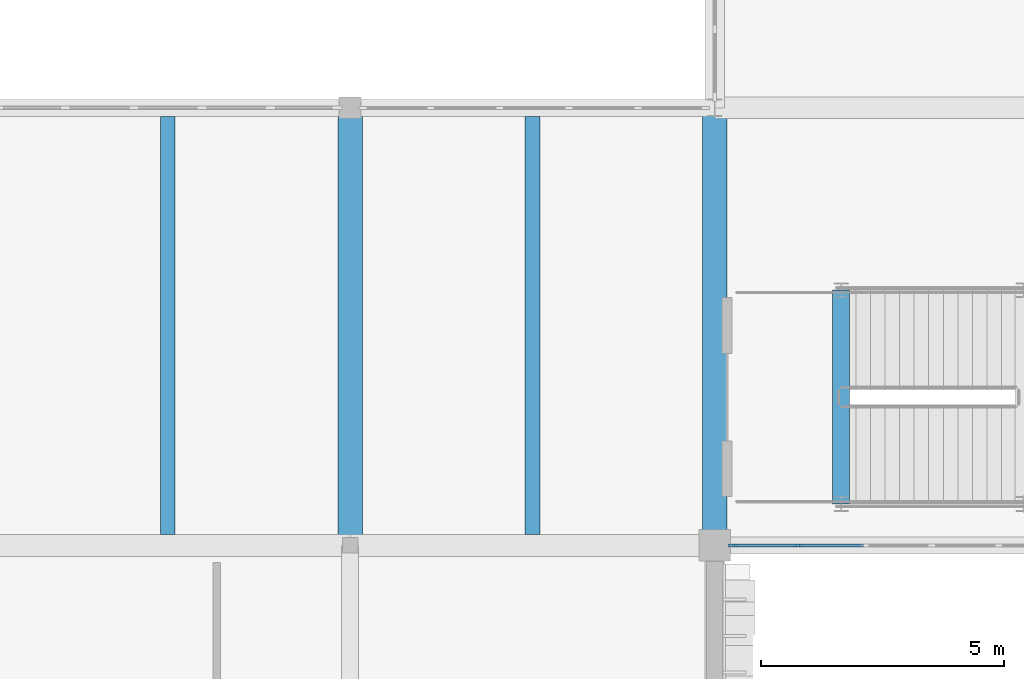
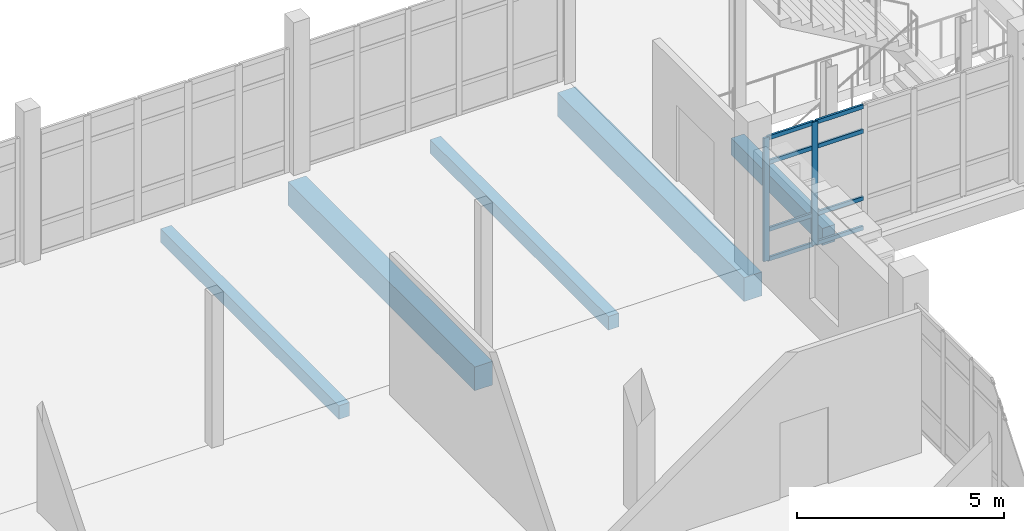
# One storey, part 18 of 128: 10 members, 5 beams, 1 element without a shape of its own.
"""IFC4 building model written with IfcOpenShell, lengths in metres."""

from ifc_helpers import new_model, si_unit, direction, frame, origin, origin_2d, place, context, subcontext, project, spatial, rectangle, extrude, material, layer, layer_set, material_profile, profile_set, type_object, element, aggregate, save


model = new_model("IFC4")

# Units and contexts
model_context = context("Model", 3, precision=1e-05, world=origin(), true_north=direction((0.0, 1.0)))
body_context = subcontext(model_context, "Body", "Model", "MODEL_VIEW")
ifc_project = project(units=[si_unit("LENGTHUNIT", "METRE"), si_unit("AREAUNIT", "SQUARE_METRE"), si_unit("VOLUMEUNIT", "CUBIC_METRE"), si_unit("PLANEANGLEUNIT", "RADIAN"), si_unit("MASSUNIT", "GRAM", prefix="KILO")], contexts=[model_context])

# Site, building, storey
site_placement = place(None, origin())
site = spatial("IfcSite", under=ifc_project, at=site_placement, CompositionType="ELEMENT")
building_placement = place(site_placement, origin())
building = spatial("IfcBuilding", under=site, at=building_placement, Name="Dalvernix Boulevard General Hospital", CompositionType="ELEMENT")
storey_placement = place(building_placement, frame((0.0, 0.0, 4.800048828125)))
storey = spatial("IfcBuildingStorey", under=building, at=storey_placement, Name="L01", CompositionType="ELEMENT", Elevation=4.800048828125)

# Beams
ifc_material_1 = material(Name="Concrete C35/45", Category="concrete")
ifc_material_profile_1 = material_profile(ifc_material_1, rectangle(XDim=0.5, YDim=0.699951171875, at=origin_2d()), Name="RCB 500x700")
ifc_profile_set_1 = profile_set([ifc_material_profile_1], Name="Concrete C35/45")
beam_type_1 = type_object("IfcBeamType", Name="BM-B-01-I", PredefinedType="BEAM", material=ifc_profile_set_1)
for number, where, z_axis, x_axis, name in (
    (1, (52.5, 22.5, -0.650146484375), (0.0, 1.0, 0.0), (-1.0, 0.0, 0.0), "L01 N-S girder 8:D-E"),
    (2, (60.0, 22.5, -0.650146484375), (0.0, 1.0, 0.0), (-1.0, 0.0, 0.0), "L01 N-S girder 9:D-E"),
):
    element("IfcBeam", number, at=place(storey_placement, frame(where, z_axis=z_axis, x_axis=x_axis)), inside=storey, type_object=beam_type_1, Name=name, PredefinedType="BEAM", context=body_context, shape_type="SweptSolid", body=[
        extrude(rectangle(XDim=0.5, YDim=0.699951171875, at=origin_2d()), origin(), (0.0, 0.0, 1.0), 9.0),
    ])
ifc_material_profile_2 = material_profile(ifc_material_1, rectangle(XDim=0.35009765625, YDim=0.5, at=origin_2d()), Name="RCB 350x500")
ifc_profile_set_2 = profile_set([ifc_material_profile_2], Name="Concrete C35/45")
beam_type_2 = type_object("IfcBeamType", Name="BM-B-08", PredefinedType="BEAM", material=ifc_profile_set_2)
beam_placement = place(storey_placement, frame((62.60009765625, 23.35009765625, -0.550048828125), z_axis=(0.0, 1.0, 0.0), x_axis=(-1.0, 0.0, 0.0)))
element("IfcBeam", 3, at=beam_placement, inside=storey, type_object=beam_type_2, Name="L01 ST-07 floor-edge support beam", PredefinedType="BEAM", context=body_context, shape_type="SweptSolid", body=[
    extrude(rectangle(XDim=0.35009765625, YDim=0.5, at=origin_2d()), origin(), (0.0, 0.0, 1.0), 4.39990234375),
])
ifc_material_profile_3 = material_profile(ifc_material_1, rectangle(XDim=0.300048828125, YDim=0.39990234375, at=origin_2d()), Name="RCB 300x400")
ifc_profile_set_3 = profile_set([ifc_material_profile_3], Name="Concrete C35/45")
beam_type_3 = type_object("IfcBeamType", Name="BM-JB-01", PredefinedType="JOIST", material=ifc_profile_set_3)
for number, where, z_axis, x_axis, name in (
    (4, (48.75, 22.72509765625, -0.5), (0.0, 1.0, 0.0), (-1.0, 0.0, 0.0), "L01 secondary floor beam 7-D"),
    (5, (56.25, 22.72509765625, -0.5), (0.0, 1.0, 0.0), (-1.0, 0.0, 0.0), "L01 secondary floor beam 8-D"),
):
    element("IfcBeam", number, at=place(storey_placement, frame(where, z_axis=z_axis, x_axis=x_axis)), inside=storey, type_object=beam_type_3, Name=name, PredefinedType="JOIST", context=body_context, shape_type="SweptSolid", body=[
        extrude(rectangle(XDim=0.300048828125, YDim=0.39990234375, at=origin_2d()), origin(), (0.0, 0.0, 1.0), 8.599853515625),
    ])

# Curtain wall, members
ifc_material_2 = material(Name="Thermally broken aluminium and solar-control glass curtain wall", Category="aluminium")
ifc_layer = layer(ifc_material_2, 0.159912109375)
ifc_layer_set = layer_set([ifc_layer], Name="Thermally broken aluminium and solar-control glass curtain wall (CW-CW-A-69x36)")
curtain_wall_type = type_object("IfcCurtainWallType", Name="CW-CW-A-69x36", PredefinedType="USERDEFINED", material=ifc_layer_set)
curtain_wall_placement = place(storey_placement, origin())
curtain_wall = element("IfcCurtainWall", 6, at=curtain_wall_placement, inside=storey, type_object=curtain_wall_type, Name="L01 curtain wall CW-A-69x36 8-3", ObjectType="GLAZED FACADE", PredefinedType="USERDEFINED")
ifc_material_3 = material(Name="Aluminium EN AW-6060", Category="aluminium")
ifc_material_profile_4 = material_profile(ifc_material_3, rectangle(XDim=0.06005859375, YDim=0.159912109375, at=origin_2d()), Name="ALU MULL 60x160")
ifc_profile_set_4 = profile_set([ifc_material_profile_4], Name="Aluminium EN AW-6060")
member_type_1 = type_object("IfcMemberType", Name="MEM-CW-M1", PredefinedType="MULLION", material=ifc_profile_set_4)
member_1_placement = place(storey_placement, frame((61.7109375, 22.5, 0.0), z_axis=(0.0, 0.0, 1.0), x_axis=(0.0, -1.0, 0.0)))
member_1 = element("IfcMember", 7, at=member_1_placement, type_object=member_type_1, Name="CW-A-69x36 mullion 5", PredefinedType="MULLION", context=body_context, shape_type="SweptSolid", body=[
    extrude(rectangle(XDim=0.06005859375, YDim=0.159912109375, at=origin_2d()), origin(), (0.0, 0.0, 1.0), 3.6298828125),
])
member_2_placement = place(storey_placement, frame((60.364990234375, 22.5, 0.0), z_axis=(0.0, 0.0, 1.0), x_axis=(0.0, -1.0, 0.0)))
member_2 = element("IfcMember", 8, at=member_2_placement, type_object=member_type_1, Name="CW-A-69x36 mullion 6", PredefinedType="MULLION", context=body_context, shape_type="SweptSolid", body=[
    extrude(rectangle(XDim=0.06005859375, YDim=0.159912109375, at=origin_2d()), origin(), (0.0, 0.0, 1.0), 3.6298828125),
])
ifc_material_profile_5 = material_profile(ifc_material_3, rectangle(XDim=0.06005859375, YDim=0.1201171875, at=origin_2d()), Name="ALU TRAN 60x120")
ifc_profile_set_5 = profile_set([ifc_material_profile_5], Name="Aluminium EN AW-6060")
member_type_2 = type_object("IfcMemberType", Name="MEM-CW-T1", PredefinedType="USERDEFINED", material=ifc_profile_set_5)
member_3_placement = place(storey_placement, frame((63.056884765625, 22.5, 0.030029296875), z_axis=(-1.0, 0.0, 0.0), x_axis=(0.0, -1.0, 0.0)))
member_3 = element("IfcMember", 9, at=member_3_placement, type_object=member_type_2, Name="CW-A-69x36 transom 4.1", ObjectType="TRANSOM", PredefinedType="USERDEFINED", context=body_context, shape_type="SweptSolid", body=[
    extrude(rectangle(XDim=0.06005859375, YDim=0.1201171875, at=origin_2d()), origin(), (0.0, 0.0, 1.0), 1.31591796875),
])
member_4_placement = place(storey_placement, frame((63.056884765625, 22.5, 0.89990234375), z_axis=(-1.0, 0.0, 0.0), x_axis=(0.0, -1.0, 0.0)))
member_4 = element("IfcMember", 10, at=member_4_placement, type_object=member_type_2, Name="CW-A-69x36 transom 4.2", ObjectType="TRANSOM", PredefinedType="USERDEFINED", context=body_context, shape_type="SweptSolid", body=[
    extrude(rectangle(XDim=0.06005859375, YDim=0.1201171875, at=origin_2d()), origin(), (0.0, 0.0, 1.0), 1.31591796875),
])
member_5_placement = place(storey_placement, frame((63.056884765625, 22.5, 2.8798828125), z_axis=(-1.0, 0.0, 0.0), x_axis=(0.0, -1.0, 0.0)))
member_5 = element("IfcMember", 11, at=member_5_placement, type_object=member_type_2, Name="CW-A-69x36 transom 4.3", ObjectType="TRANSOM", PredefinedType="USERDEFINED", context=body_context, shape_type="SweptSolid", body=[
    extrude(rectangle(XDim=0.06005859375, YDim=0.1201171875, at=origin_2d()), origin(), (0.0, 0.0, 1.0), 1.31591796875),
])
member_6_placement = place(storey_placement, frame((63.056884765625, 22.5, 3.599853515625), z_axis=(-1.0, 0.0, 0.0), x_axis=(0.0, -1.0, 0.0)))
member_6 = element("IfcMember", 12, at=member_6_placement, type_object=member_type_2, Name="CW-A-69x36 transom 4.4", ObjectType="TRANSOM", PredefinedType="USERDEFINED", context=body_context, shape_type="SweptSolid", body=[
    extrude(rectangle(XDim=0.06005859375, YDim=0.1201171875, at=origin_2d()), origin(), (0.0, 0.0, 1.0), 1.31591796875),
])
member_7_placement = place(storey_placement, frame((61.680908203125, 22.5, 0.030029296875), z_axis=(-1.0, 0.0, 0.0), x_axis=(0.0, -1.0, 0.0)))
member_7 = element("IfcMember", 13, at=member_7_placement, type_object=member_type_2, Name="CW-A-69x36 transom 5.1", ObjectType="TRANSOM", PredefinedType="USERDEFINED", context=body_context, shape_type="SweptSolid", body=[
    extrude(rectangle(XDim=0.06005859375, YDim=0.1201171875, at=origin_2d()), origin(), (0.0, 0.0, 1.0), 1.285888671875),
])
member_8_placement = place(storey_placement, frame((61.680908203125, 22.5, 0.89990234375), z_axis=(-1.0, 0.0, 0.0), x_axis=(0.0, -1.0, 0.0)))
member_8 = element("IfcMember", 14, at=member_8_placement, type_object=member_type_2, Name="CW-A-69x36 transom 5.2", ObjectType="TRANSOM", PredefinedType="USERDEFINED", context=body_context, shape_type="SweptSolid", body=[
    extrude(rectangle(XDim=0.06005859375, YDim=0.1201171875, at=origin_2d()), origin(), (0.0, 0.0, 1.0), 1.285888671875),
])
member_9_placement = place(storey_placement, frame((61.680908203125, 22.5, 2.8798828125), z_axis=(-1.0, 0.0, 0.0), x_axis=(0.0, -1.0, 0.0)))
member_9 = element("IfcMember", 15, at=member_9_placement, type_object=member_type_2, Name="CW-A-69x36 transom 5.3", ObjectType="TRANSOM", PredefinedType="USERDEFINED", context=body_context, shape_type="SweptSolid", body=[
    extrude(rectangle(XDim=0.06005859375, YDim=0.1201171875, at=origin_2d()), origin(), (0.0, 0.0, 1.0), 1.285888671875),
])
member_10_placement = place(storey_placement, frame((61.680908203125, 22.5, 3.599853515625), z_axis=(-1.0, 0.0, 0.0), x_axis=(0.0, -1.0, 0.0)))
member_10 = element("IfcMember", 16, at=member_10_placement, type_object=member_type_2, Name="CW-A-69x36 transom 5.4", ObjectType="TRANSOM", PredefinedType="USERDEFINED", context=body_context, shape_type="SweptSolid", body=[
    extrude(rectangle(XDim=0.06005859375, YDim=0.1201171875, at=origin_2d()), origin(), (0.0, 0.0, 1.0), 1.285888671875),
])
aggregate(curtain_wall, [member_1, member_2, member_3, member_4, member_5, member_6, member_7, member_8, member_9, member_10])

save(model, "model.ifc")
